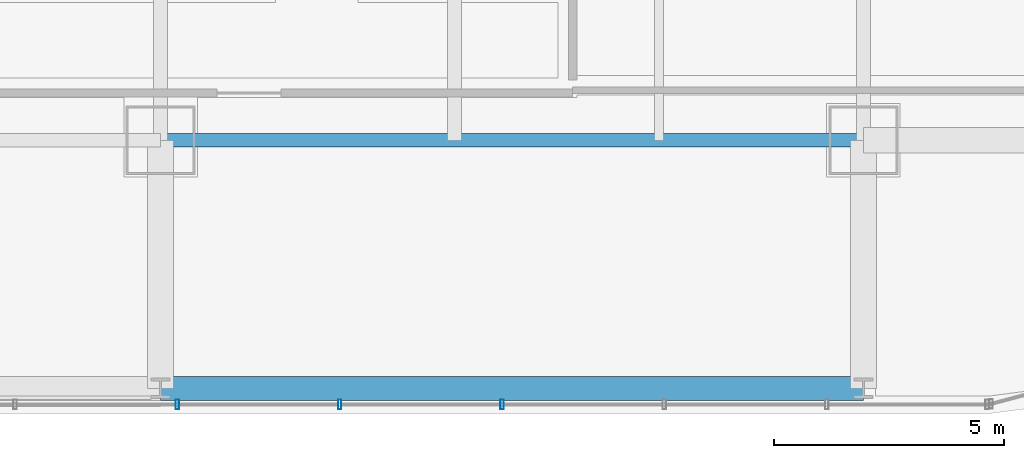
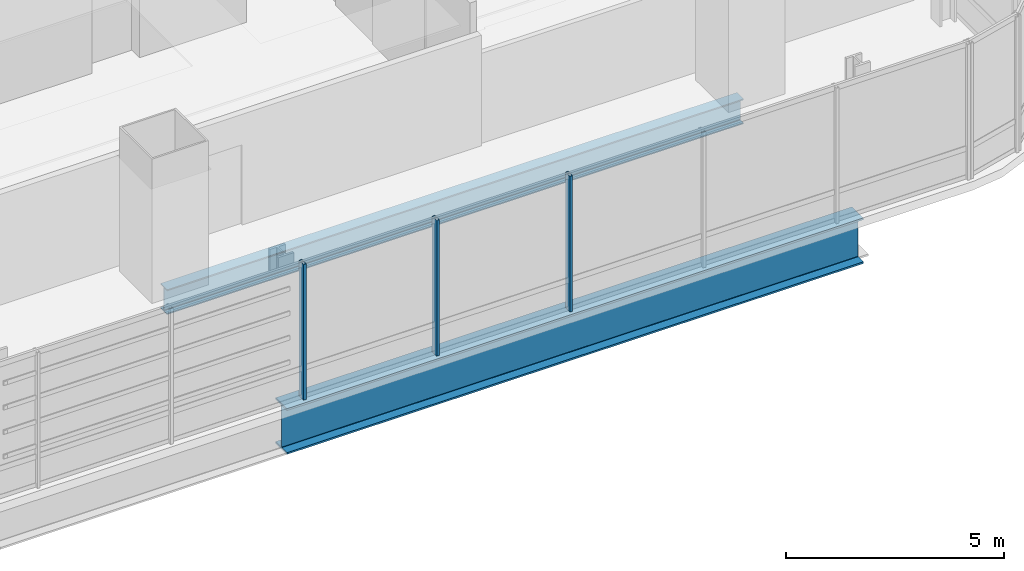
# One storey, part 6 of 35: 3 members, 2 beams, 1 element without a shape of its own.
"""IFC4 building model written with IfcOpenShell, lengths in metres."""

from ifc_helpers import new_model, si_unit, direction, frame, origin, origin_2d, place, context, subcontext, project, spatial, hollow_rectangle, i_section, extrude, material, material_profile, profile_set, type_object, element, aggregate, save


model = new_model("IFC4")

# Units and contexts
model_context = context("Model", 3, precision=1e-05, world=origin(), true_north=direction((0.0, 1.0)))
body_context = subcontext(model_context, "Body", "Model", "MODEL_VIEW")
ifc_project = project(units=[si_unit("LENGTHUNIT", "METRE"), si_unit("AREAUNIT", "SQUARE_METRE"), si_unit("VOLUMEUNIT", "CUBIC_METRE"), si_unit("PLANEANGLEUNIT", "RADIAN"), si_unit("MASSUNIT", "GRAM", prefix="KILO")], contexts=[model_context])

# Site, building, storey
site_placement = place(None, origin())
site = spatial("IfcSite", under=ifc_project, at=site_placement, CompositionType="ELEMENT")
building_placement = place(site_placement, origin())
building = spatial("IfcBuilding", under=site, at=building_placement, Name="Punatoya Terracotta Tower", CompositionType="ELEMENT")
storey_placement = place(building_placement, frame((0.0, 0.0, 72.75)))
storey = spatial("IfcBuildingStorey", under=building, at=storey_placement, Name="L16", CompositionType="ELEMENT", Elevation=72.75)

# Beams
ifc_material_1 = material(Name="Steel S355", Category="steel")
ifc_material_profile_1 = material_profile(ifc_material_1, i_section(OverallWidth=0.300048828125, OverallDepth=0.699951171875, WebThickness=0.01708984375, FlangeThickness=0.031982421875, FilletRadius=0.01806640625, at=origin_2d()))
ifc_profile_set_1 = profile_set([ifc_material_profile_1], Name="Steel S355")
beam_type_1 = type_object("IfcBeamType", Name="BM-PRI-700", PredefinedType="BEAM", material=ifc_profile_set_1)
beam_1_placement = place(storey_placement, frame((3.800048828125, -17.5, -0.590087890625), z_axis=(1.0, 0.0, 0.0), x_axis=(0.0, 1.0, 0.0)))
element("IfcBeam", 1, at=beam_1_placement, inside=storey, type_object=beam_type_1, Name="BM-L16-RG-S3", PredefinedType="BEAM", context=body_context, shape_type="SweptSolid", body=[
    extrude(i_section(OverallWidth=0.300048828125, OverallDepth=0.699951171875, WebThickness=0.01708984375, FlangeThickness=0.031982421875, FilletRadius=0.01806640625, at=origin_2d()), origin(), (0.0, 0.0, 1.0), 15.300048828125),
])
ifc_material_2 = material(Name="Steel S460", Category="steel")
ifc_material_profile_2 = material_profile(ifc_material_2, i_section(OverallWidth=0.52001953125, OverallDepth=1.280029296875, WebThickness=0.031982421875, FlangeThickness=0.050048828125, FilletRadius=0.01806640625, at=origin_2d()))
ifc_profile_set_2 = profile_set([ifc_material_profile_2], Name="Steel S460")
beam_type_2 = type_object("IfcBeamType", Name="BM-TG-NCK", PredefinedType="BEAM", material=ifc_profile_set_2)
beam_2_placement = place(storey_placement, frame((3.800048828125, -22.89990234375, -0.8798828125), z_axis=(1.0, 0.0, 0.0), x_axis=(0.0, 1.0, 0.0)))
element("IfcBeam", 2, at=beam_2_placement, inside=storey, type_object=beam_type_2, Name="BM-L16-PER-S3", PredefinedType="BEAM", context=body_context, shape_type="SweptSolid", body=[
    extrude(i_section(OverallWidth=0.52001953125, OverallDepth=1.280029296875, WebThickness=0.031982421875, FlangeThickness=0.050048828125, FilletRadius=0.01806640625, at=origin_2d()), origin(), (0.0, 0.0, 1.0), 15.300048828125),
])

# Curtain wall, members
ifc_material_3 = material(Name="Aluminium 6063-T6 + Double Low-E Glass", Category="aluminium")
curtain_wall_type = type_object("IfcCurtainWallType", Name="CW-M1", PredefinedType="NOTDEFINED", material=ifc_material_3)
curtain_wall_placement = place(storey_placement, origin())
curtain_wall = element("IfcCurtainWall", 3, at=curtain_wall_placement, inside=storey, type_object=curtain_wall_type, Name="L16 Curtain Wall CW-L16-S01-1", PredefinedType="NOTDEFINED")
ifc_material_4 = material(Name="Aluminium 6063-T6", Category="aluminium")
ifc_material_profile_3 = material_profile(ifc_material_4, hollow_rectangle(XDim=0.074951171875, YDim=0.2099609375, WallThickness=0.00439453125, at=origin_2d()))
ifc_profile_set_3 = profile_set([ifc_material_profile_3], Name="Aluminium 6063-T6")
member_type = type_object("IfcMemberType", Name="CW-MUL-M1", PredefinedType="MULLION", material=ifc_profile_set_3)
member_1_placement = place(storey_placement, frame((4.1669921875, -23.25, 0.0), z_axis=(0.0, 0.0, 1.0), x_axis=(1.0, 0.0, 0.0)))
member_1 = element("IfcMember", 4, at=member_1_placement, type_object=member_type, Name="CW-L16-S01-1 Mullion 06", PredefinedType="MULLION", context=body_context, shape_type="SweptSolid", body=[
    extrude(hollow_rectangle(XDim=0.074951171875, YDim=0.2099609375, WallThickness=0.00439453125, at=origin_2d()), origin(), (0.0, 0.0, 1.0), 3.81005859375),
])
member_2_placement = place(storey_placement, frame((7.700927734375, -23.25, 0.0), z_axis=(0.0, 0.0, 1.0), x_axis=(1.0, 0.0, 0.0)))
member_2 = element("IfcMember", 5, at=member_2_placement, type_object=member_type, Name="CW-L16-S01-1 Mullion 07", PredefinedType="MULLION", context=body_context, shape_type="SweptSolid", body=[
    extrude(hollow_rectangle(XDim=0.074951171875, YDim=0.2099609375, WallThickness=0.00439453125, at=origin_2d()), origin(), (0.0, 0.0, 1.0), 3.81005859375),
])
member_3_placement = place(storey_placement, frame((11.235107421875, -23.25, 0.0), z_axis=(0.0, 0.0, 1.0), x_axis=(1.0, 0.0, 0.0)))
member_3 = element("IfcMember", 6, at=member_3_placement, type_object=member_type, Name="CW-L16-S01-1 Mullion 08", PredefinedType="MULLION", context=body_context, shape_type="SweptSolid", body=[
    extrude(hollow_rectangle(XDim=0.074951171875, YDim=0.2099609375, WallThickness=0.00439453125, at=origin_2d()), origin(), (0.0, 0.0, 1.0), 3.81005859375),
])
aggregate(curtain_wall, [member_1, member_2, member_3])

save(model, "model.ifc")
